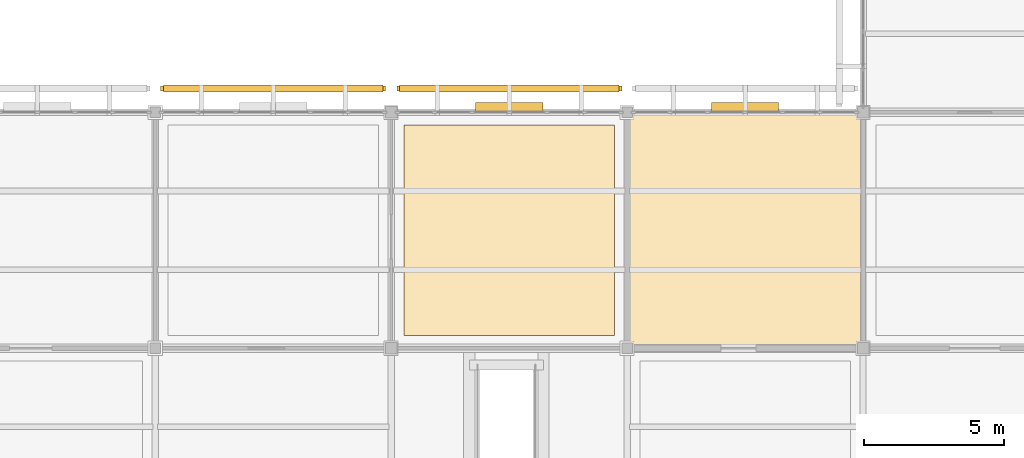
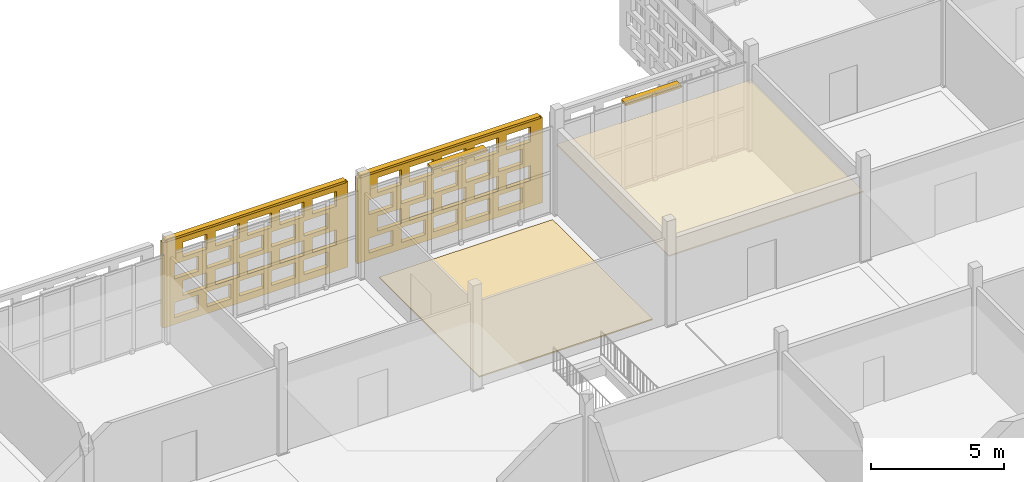
# One storey, part 155 of 203: 4 coverings, 4 shading devices, 40 openings.
"""IFC4 building model written with IfcOpenShell, lengths in metres."""

from ifc_helpers import new_model, si_unit, direction, frame, frame_2d, origin, origin_2d, place, context, subcontext, project, spatial, rectangle, extrude, material, layer, layer_set, type_object, element, save


model = new_model("IFC4")

# Units and contexts
model_context = context("Model", 3, precision=1e-05, world=origin(), true_north=direction((0.0, 1.0)))
body_context = subcontext(model_context, "Body", "Model", "MODEL_VIEW")
ifc_project = project(units=[si_unit("LENGTHUNIT", "METRE"), si_unit("AREAUNIT", "SQUARE_METRE"), si_unit("VOLUMEUNIT", "CUBIC_METRE"), si_unit("PLANEANGLEUNIT", "RADIAN"), si_unit("MASSUNIT", "GRAM", prefix="KILO")], contexts=[model_context])

# Site, building, storey
site_placement = place(None, origin())
site = spatial("IfcSite", under=ifc_project, at=site_placement, CompositionType="ELEMENT")
building_placement = place(site_placement, origin())
building = spatial("IfcBuilding", under=site, at=building_placement, Name="Varnapada Polytechnic", CompositionType="ELEMENT")
storey_placement = place(building_placement, frame((0.0, 0.0, 4.800048828125)))
storey = spatial("IfcBuildingStorey", under=building, at=storey_placement, Name="L01", CompositionType="ELEMENT", Elevation=4.800048828125)

# Covering
ifc_material_1 = material(Name="End-Grain Timber Studio Block Flooring", Category="wood")
ifc_layer_1 = layer(ifc_material_1, 0.054931640625)
ifc_layer_set_1 = layer_set([ifc_layer_1], Name="End-Grain Timber Studio Block Flooring")
covering_type_1 = type_object("IfcCoveringType", Name="Floor Finish FLR-04", PredefinedType="FLOORING", material=ifc_layer_set_1)
covering_1_placement = place(storey_placement, frame((113.39990234375, 37.800048828125, 0.0), z_axis=(0.0, 0.0, 1.0), x_axis=(1.0, 0.0, 0.0)))
element("IfcCovering", 1, at=covering_1_placement, inside=storey, type_object=covering_type_1, Name="L01 floor finish panel (14,5)", PredefinedType="FLOORING", context=body_context, shape_type="SweptSolid", body=[
    extrude(rectangle(XDim=7.5, YDim=7.5, at=origin_2d()), origin(), (0.0, 0.0, 1.0), 0.054931640625),
])

# Shading devices
ifc_material_2 = material(Name="Anodised aluminium", Category="aluminium")
ifc_layer_2 = layer(ifc_material_2, 0.35009765625)
ifc_layer_set_2 = layer_set([ifc_layer_2], Name="Anodised aluminium")
shading_device_type_1 = type_object("IfcShadingDeviceType", Name="Solar Louvre LVR-01", PredefinedType="JALOUSIE", material=ifc_layer_set_2)
for number, where, z_axis, x_axis, name in (
    (2, (113.405029296875, 42.179931640625, 3.760009765625), (0.0, 0.0, 1.0), (1.0, 0.0, 0.0), "L01 aluminium sun louvre 91"),
    (3, (121.794921875, 42.179931640625, 3.760009765625), (0.0, 0.0, 1.0), (1.0, 0.0, 0.0), "L01 aluminium sun louvre 97"),
):
    element("IfcShadingDevice", number, at=place(storey_placement, frame(where, z_axis=z_axis, x_axis=x_axis)), inside=storey, type_object=shading_device_type_1, Name=name, PredefinedType="JALOUSIE", context=body_context, shape_type="SweptSolid", body=[
        extrude(rectangle(XDim=2.39990234375, YDim=0.340087890625, at=origin_2d()), origin(), (0.0, 0.0, 1.0), 0.1201171875),
    ])

# Covering
ifc_material_3 = material(Name="Slatted Merbau Timber Acoustic Ceiling", Category="wood")
ifc_layer_3 = layer(ifc_material_3, 0.054931640625)
ifc_layer_set_3 = layer_set([ifc_layer_3], Name="Slatted Merbau Timber Acoustic Ceiling")
covering_type_2 = type_object("IfcCoveringType", Name="Suspended Ceiling CLG-05", PredefinedType="CEILING", material=ifc_layer_set_3)
covering_2_placement = place(storey_placement, frame((121.800048828125, 37.800048828125, 3.0224609375), z_axis=(0.0, 0.0, 1.0), x_axis=(1.0, 0.0, 0.0)))
element("IfcCovering", 4, at=covering_2_placement, inside=storey, type_object=covering_type_2, Name="L01 suspended acoustic ceiling (15,5)", PredefinedType="CEILING", context=body_context, shape_type="SweptSolid", body=[
    extrude(rectangle(XDim=8.419921875, YDim=8.419921875, at=origin_2d()), origin(), (0.0, 0.0, 1.0), 0.054931640625),
])

# Covering, openings
ifc_material_4 = material(Name="Earth-toned architectural terracotta screen block", Category="masonry")
ifc_layer_4 = layer(ifc_material_4, 0.1201171875)
ifc_layer_set_4 = layer_set([ifc_layer_4], Name="Earth-toned architectural terracotta screen block")
covering_type_3 = type_object("IfcCoveringType", Name="Terracotta Screen Cladding CLD-01", PredefinedType="CLADDING", material=ifc_layer_set_4)
covering_3_placement = place(storey_placement, frame((100.989990234375, 42.85009765625, 0.0), z_axis=(0.0, 0.0, 1.0), x_axis=(1.0, 0.0, 0.0)))
covering_3 = element("IfcCovering", 5, at=covering_3_placement, inside=storey, type_object=covering_type_3, Name="L01 perforated terracotta block screen (85)", PredefinedType="CLADDING", context=body_context, shape_type="SweptSolid", body=[
    extrude(rectangle(XDim=8.010009765625, YDim=0.179931640625, at=frame_2d((4.0048828125, 0.0))), origin(), (0.0, 0.0, 1.0), 3.919921875),
])
opening_1_placement = place(covering_3_placement, frame((0.5048828125, 0.0, 0.313720703125)))
element("IfcOpeningElement", 6, at=opening_1_placement, cuts=covering_3, Name="Screen perforation TBS-L01-084.1", PredefinedType="OPENING", context=body_context, shape_type="SweptSolid", body=[
    extrude(rectangle(XDim=1.0400390625, YDim=0.679931640625, at=frame_2d((0.52001953125, 0.33984375))), frame((0.0, 0.099853515625, 0.0), z_axis=(0.0, -1.0, 0.0), x_axis=(1.0, 0.0, 0.0)), (0.0, 0.0, 1.0), 0.199951171875),
])
opening_2_placement = place(covering_3_placement, frame((1.905029296875, 0.0, 0.313720703125)))
element("IfcOpeningElement", 7, at=opening_2_placement, cuts=covering_3, Name="Screen perforation TBS-L01-084.2", PredefinedType="OPENING", context=body_context, shape_type="SweptSolid", body=[
    extrude(rectangle(XDim=1.0400390625, YDim=0.679931640625, at=frame_2d((0.52001953125, 0.33984375))), frame((0.0, 0.099853515625, 0.0), z_axis=(0.0, -1.0, 0.0), x_axis=(1.0, 0.0, 0.0)), (0.0, 0.0, 1.0), 0.199951171875),
])
opening_3_placement = place(covering_3_placement, frame((3.304931640625, 0.0, 0.313720703125)))
element("IfcOpeningElement", 8, at=opening_3_placement, cuts=covering_3, Name="Screen perforation TBS-L01-084.3", PredefinedType="OPENING", context=body_context, shape_type="SweptSolid", body=[
    extrude(rectangle(XDim=1.0400390625, YDim=0.679931640625, at=frame_2d((0.52001953125, 0.33984375))), frame((0.0, 0.099853515625, 0.0), z_axis=(0.0, -1.0, 0.0), x_axis=(1.0, 0.0, 0.0)), (0.0, 0.0, 1.0), 0.199951171875),
])
opening_4_placement = place(covering_3_placement, frame((4.705078125, 0.0, 0.313720703125)))
element("IfcOpeningElement", 9, at=opening_4_placement, cuts=covering_3, Name="Screen perforation TBS-L01-084.4", PredefinedType="OPENING", context=body_context, shape_type="SweptSolid", body=[
    extrude(rectangle(XDim=1.0400390625, YDim=0.679931640625, at=frame_2d((0.52001953125, 0.33984375))), frame((0.0, 0.099853515625, 0.0), z_axis=(0.0, -1.0, 0.0), x_axis=(1.0, 0.0, 0.0)), (0.0, 0.0, 1.0), 0.199951171875),
])
opening_5_placement = place(covering_3_placement, frame((6.10498046875, 0.0, 0.313720703125)))
element("IfcOpeningElement", 10, at=opening_5_placement, cuts=covering_3, Name="Screen perforation TBS-L01-084.5", PredefinedType="OPENING", context=body_context, shape_type="SweptSolid", body=[
    extrude(rectangle(XDim=1.0400390625, YDim=0.679931640625, at=frame_2d((0.52001953125, 0.33984375))), frame((0.0, 0.099853515625, 0.0), z_axis=(0.0, -1.0, 0.0), x_axis=(1.0, 0.0, 0.0)), (0.0, 0.0, 1.0), 0.199951171875),
])
opening_6_placement = place(covering_3_placement, frame((0.864990234375, 0.0, 1.195556640625)))
element("IfcOpeningElement", 11, at=opening_6_placement, cuts=covering_3, Name="Screen perforation TBS-L01-084.6", PredefinedType="OPENING", context=body_context, shape_type="SweptSolid", body=[
    extrude(rectangle(XDim=1.0400390625, YDim=0.679931640625, at=frame_2d((0.52001953125, 0.33984375))), frame((0.0, 0.099853515625, 0.0), z_axis=(0.0, -1.0, 0.0), x_axis=(1.0, 0.0, 0.0)), (0.0, 0.0, 1.0), 0.199951171875),
])
opening_7_placement = place(covering_3_placement, frame((2.264892578125, 0.0, 1.195556640625)))
element("IfcOpeningElement", 12, at=opening_7_placement, cuts=covering_3, Name="Screen perforation TBS-L01-084.7", PredefinedType="OPENING", context=body_context, shape_type="SweptSolid", body=[
    extrude(rectangle(XDim=1.0400390625, YDim=0.679931640625, at=frame_2d((0.52001953125, 0.33984375))), frame((0.0, 0.099853515625, 0.0), z_axis=(0.0, -1.0, 0.0), x_axis=(1.0, 0.0, 0.0)), (0.0, 0.0, 1.0), 0.199951171875),
])
opening_8_placement = place(covering_3_placement, frame((3.6650390625, 0.0, 1.195556640625)))
element("IfcOpeningElement", 13, at=opening_8_placement, cuts=covering_3, Name="Screen perforation TBS-L01-084.8", PredefinedType="OPENING", context=body_context, shape_type="SweptSolid", body=[
    extrude(rectangle(XDim=1.0400390625, YDim=0.679931640625, at=frame_2d((0.52001953125, 0.33984375))), frame((0.0, 0.099853515625, 0.0), z_axis=(0.0, -1.0, 0.0), x_axis=(1.0, 0.0, 0.0)), (0.0, 0.0, 1.0), 0.199951171875),
])
opening_9_placement = place(covering_3_placement, frame((5.06494140625, 0.0, 1.195556640625)))
element("IfcOpeningElement", 14, at=opening_9_placement, cuts=covering_3, Name="Screen perforation TBS-L01-084.9", PredefinedType="OPENING", context=body_context, shape_type="SweptSolid", body=[
    extrude(rectangle(XDim=1.0400390625, YDim=0.679931640625, at=frame_2d((0.52001953125, 0.33984375))), frame((0.0, 0.099853515625, 0.0), z_axis=(0.0, -1.0, 0.0), x_axis=(1.0, 0.0, 0.0)), (0.0, 0.0, 1.0), 0.199951171875),
])
opening_10_placement = place(covering_3_placement, frame((6.465087890625, 0.0, 1.195556640625)))
element("IfcOpeningElement", 15, at=opening_10_placement, cuts=covering_3, Name="Screen perforation TBS-L01-084.10", PredefinedType="OPENING", context=body_context, shape_type="SweptSolid", body=[
    extrude(rectangle(XDim=1.0400390625, YDim=0.679931640625, at=frame_2d((0.52001953125, 0.33984375))), frame((0.0, 0.099853515625, 0.0), z_axis=(0.0, -1.0, 0.0), x_axis=(1.0, 0.0, 0.0)), (0.0, 0.0, 1.0), 0.199951171875),
])
opening_11_placement = place(covering_3_placement, frame((0.5048828125, 0.0, 2.07763671875)))
element("IfcOpeningElement", 16, at=opening_11_placement, cuts=covering_3, Name="Screen perforation TBS-L01-084.11", PredefinedType="OPENING", context=body_context, shape_type="SweptSolid", body=[
    extrude(rectangle(XDim=1.0400390625, YDim=0.679931640625, at=frame_2d((0.52001953125, 0.33984375))), frame((0.0, 0.099853515625, 0.0), z_axis=(0.0, -1.0, 0.0), x_axis=(1.0, 0.0, 0.0)), (0.0, 0.0, 1.0), 0.199951171875),
])
opening_12_placement = place(covering_3_placement, frame((1.905029296875, 0.0, 2.07763671875)))
element("IfcOpeningElement", 17, at=opening_12_placement, cuts=covering_3, Name="Screen perforation TBS-L01-084.12", PredefinedType="OPENING", context=body_context, shape_type="SweptSolid", body=[
    extrude(rectangle(XDim=1.0400390625, YDim=0.679931640625, at=frame_2d((0.52001953125, 0.33984375))), frame((0.0, 0.099853515625, 0.0), z_axis=(0.0, -1.0, 0.0), x_axis=(1.0, 0.0, 0.0)), (0.0, 0.0, 1.0), 0.199951171875),
])
opening_13_placement = place(covering_3_placement, frame((3.304931640625, 0.0, 2.07763671875)))
element("IfcOpeningElement", 18, at=opening_13_placement, cuts=covering_3, Name="Screen perforation TBS-L01-084.13", PredefinedType="OPENING", context=body_context, shape_type="SweptSolid", body=[
    extrude(rectangle(XDim=1.0400390625, YDim=0.679931640625, at=frame_2d((0.52001953125, 0.33984375))), frame((0.0, 0.099853515625, 0.0), z_axis=(0.0, -1.0, 0.0), x_axis=(1.0, 0.0, 0.0)), (0.0, 0.0, 1.0), 0.199951171875),
])
opening_14_placement = place(covering_3_placement, frame((4.705078125, 0.0, 2.07763671875)))
element("IfcOpeningElement", 19, at=opening_14_placement, cuts=covering_3, Name="Screen perforation TBS-L01-084.14", PredefinedType="OPENING", context=body_context, shape_type="SweptSolid", body=[
    extrude(rectangle(XDim=1.0400390625, YDim=0.679931640625, at=frame_2d((0.52001953125, 0.33984375))), frame((0.0, 0.099853515625, 0.0), z_axis=(0.0, -1.0, 0.0), x_axis=(1.0, 0.0, 0.0)), (0.0, 0.0, 1.0), 0.199951171875),
])
opening_15_placement = place(covering_3_placement, frame((6.10498046875, 0.0, 2.07763671875)))
element("IfcOpeningElement", 20, at=opening_15_placement, cuts=covering_3, Name="Screen perforation TBS-L01-084.15", PredefinedType="OPENING", context=body_context, shape_type="SweptSolid", body=[
    extrude(rectangle(XDim=1.0400390625, YDim=0.679931640625, at=frame_2d((0.52001953125, 0.33984375))), frame((0.0, 0.099853515625, 0.0), z_axis=(0.0, -1.0, 0.0), x_axis=(1.0, 0.0, 0.0)), (0.0, 0.0, 1.0), 0.199951171875),
])
opening_16_placement = place(covering_3_placement, frame((0.864990234375, 0.0, 2.959716796875)))
element("IfcOpeningElement", 21, at=opening_16_placement, cuts=covering_3, Name="Screen perforation TBS-L01-084.16", PredefinedType="OPENING", context=body_context, shape_type="SweptSolid", body=[
    extrude(rectangle(XDim=1.0400390625, YDim=0.679931640625, at=frame_2d((0.52001953125, 0.33984375))), frame((0.0, 0.099853515625, 0.0), z_axis=(0.0, -1.0, 0.0), x_axis=(1.0, 0.0, 0.0)), (0.0, 0.0, 1.0), 0.199951171875),
])
opening_17_placement = place(covering_3_placement, frame((2.264892578125, 0.0, 2.959716796875)))
element("IfcOpeningElement", 22, at=opening_17_placement, cuts=covering_3, Name="Screen perforation TBS-L01-084.17", PredefinedType="OPENING", context=body_context, shape_type="SweptSolid", body=[
    extrude(rectangle(XDim=1.0400390625, YDim=0.679931640625, at=frame_2d((0.52001953125, 0.33984375))), frame((0.0, 0.099853515625, 0.0), z_axis=(0.0, -1.0, 0.0), x_axis=(1.0, 0.0, 0.0)), (0.0, 0.0, 1.0), 0.199951171875),
])
opening_18_placement = place(covering_3_placement, frame((3.6650390625, 0.0, 2.959716796875)))
element("IfcOpeningElement", 23, at=opening_18_placement, cuts=covering_3, Name="Screen perforation TBS-L01-084.18", PredefinedType="OPENING", context=body_context, shape_type="SweptSolid", body=[
    extrude(rectangle(XDim=1.0400390625, YDim=0.679931640625, at=frame_2d((0.52001953125, 0.33984375))), frame((0.0, 0.099853515625, 0.0), z_axis=(0.0, -1.0, 0.0), x_axis=(1.0, 0.0, 0.0)), (0.0, 0.0, 1.0), 0.199951171875),
])
opening_19_placement = place(covering_3_placement, frame((5.06494140625, 0.0, 2.959716796875)))
element("IfcOpeningElement", 24, at=opening_19_placement, cuts=covering_3, Name="Screen perforation TBS-L01-084.19", PredefinedType="OPENING", context=body_context, shape_type="SweptSolid", body=[
    extrude(rectangle(XDim=1.0400390625, YDim=0.679931640625, at=frame_2d((0.52001953125, 0.33984375))), frame((0.0, 0.099853515625, 0.0), z_axis=(0.0, -1.0, 0.0), x_axis=(1.0, 0.0, 0.0)), (0.0, 0.0, 1.0), 0.199951171875),
])
opening_20_placement = place(covering_3_placement, frame((6.465087890625, 0.0, 2.959716796875)))
element("IfcOpeningElement", 25, at=opening_20_placement, cuts=covering_3, Name="Screen perforation TBS-L01-084.20", PredefinedType="OPENING", context=body_context, shape_type="SweptSolid", body=[
    extrude(rectangle(XDim=1.0400390625, YDim=0.679931640625, at=frame_2d((0.52001953125, 0.33984375))), frame((0.0, 0.099853515625, 0.0), z_axis=(0.0, -1.0, 0.0), x_axis=(1.0, 0.0, 0.0)), (0.0, 0.0, 1.0), 0.199951171875),
])

covering_4_placement = place(storey_placement, frame((109.39990234375, 42.85009765625, 0.0), z_axis=(0.0, 0.0, 1.0), x_axis=(1.0, 0.0, 0.0)))
covering_4 = element("IfcCovering", 26, at=covering_4_placement, inside=storey, type_object=covering_type_3, Name="L01 perforated terracotta block screen (91)", PredefinedType="CLADDING", context=body_context, shape_type="SweptSolid", body=[
    extrude(rectangle(XDim=8.010009765625, YDim=0.179931640625, at=frame_2d((4.0048828125, 0.0))), origin(), (0.0, 0.0, 1.0), 3.919921875),
])
opening_21_placement = place(covering_4_placement, frame((0.5048828125, 0.0, 0.313720703125)))
element("IfcOpeningElement", 27, at=opening_21_placement, cuts=covering_4, Name="Screen perforation TBS-L01-090.1", PredefinedType="OPENING", context=body_context, shape_type="SweptSolid", body=[
    extrude(rectangle(XDim=1.0400390625, YDim=0.679931640625, at=frame_2d((0.52001953125, 0.33984375))), frame((0.0, 0.099853515625, 0.0), z_axis=(0.0, -1.0, 0.0), x_axis=(1.0, 0.0, 0.0)), (0.0, 0.0, 1.0), 0.199951171875),
])
opening_22_placement = place(covering_4_placement, frame((1.905029296875, 0.0, 0.313720703125)))
element("IfcOpeningElement", 28, at=opening_22_placement, cuts=covering_4, Name="Screen perforation TBS-L01-090.2", PredefinedType="OPENING", context=body_context, shape_type="SweptSolid", body=[
    extrude(rectangle(XDim=1.0400390625, YDim=0.679931640625, at=frame_2d((0.52001953125, 0.33984375))), frame((0.0, 0.099853515625, 0.0), z_axis=(0.0, -1.0, 0.0), x_axis=(1.0, 0.0, 0.0)), (0.0, 0.0, 1.0), 0.199951171875),
])
opening_23_placement = place(covering_4_placement, frame((3.304931640625, 0.0, 0.313720703125)))
element("IfcOpeningElement", 29, at=opening_23_placement, cuts=covering_4, Name="Screen perforation TBS-L01-090.3", PredefinedType="OPENING", context=body_context, shape_type="SweptSolid", body=[
    extrude(rectangle(XDim=1.0400390625, YDim=0.679931640625, at=frame_2d((0.52001953125, 0.33984375))), frame((0.0, 0.099853515625, 0.0), z_axis=(0.0, -1.0, 0.0), x_axis=(1.0, 0.0, 0.0)), (0.0, 0.0, 1.0), 0.199951171875),
])
opening_24_placement = place(covering_4_placement, frame((4.705078125, 0.0, 0.313720703125)))
element("IfcOpeningElement", 30, at=opening_24_placement, cuts=covering_4, Name="Screen perforation TBS-L01-090.4", PredefinedType="OPENING", context=body_context, shape_type="SweptSolid", body=[
    extrude(rectangle(XDim=1.0400390625, YDim=0.679931640625, at=frame_2d((0.52001953125, 0.33984375))), frame((0.0, 0.099853515625, 0.0), z_axis=(0.0, -1.0, 0.0), x_axis=(1.0, 0.0, 0.0)), (0.0, 0.0, 1.0), 0.199951171875),
])
opening_25_placement = place(covering_4_placement, frame((6.10498046875, 0.0, 0.313720703125)))
element("IfcOpeningElement", 31, at=opening_25_placement, cuts=covering_4, Name="Screen perforation TBS-L01-090.5", PredefinedType="OPENING", context=body_context, shape_type="SweptSolid", body=[
    extrude(rectangle(XDim=1.0400390625, YDim=0.679931640625, at=frame_2d((0.52001953125, 0.33984375))), frame((0.0, 0.099853515625, 0.0), z_axis=(0.0, -1.0, 0.0), x_axis=(1.0, 0.0, 0.0)), (0.0, 0.0, 1.0), 0.199951171875),
])
opening_26_placement = place(covering_4_placement, frame((0.864990234375, 0.0, 1.195556640625)))
element("IfcOpeningElement", 32, at=opening_26_placement, cuts=covering_4, Name="Screen perforation TBS-L01-090.6", PredefinedType="OPENING", context=body_context, shape_type="SweptSolid", body=[
    extrude(rectangle(XDim=1.0400390625, YDim=0.679931640625, at=frame_2d((0.52001953125, 0.33984375))), frame((0.0, 0.099853515625, 0.0), z_axis=(0.0, -1.0, 0.0), x_axis=(1.0, 0.0, 0.0)), (0.0, 0.0, 1.0), 0.199951171875),
])
opening_27_placement = place(covering_4_placement, frame((2.264892578125, 0.0, 1.195556640625)))
element("IfcOpeningElement", 33, at=opening_27_placement, cuts=covering_4, Name="Screen perforation TBS-L01-090.7", PredefinedType="OPENING", context=body_context, shape_type="SweptSolid", body=[
    extrude(rectangle(XDim=1.0400390625, YDim=0.679931640625, at=frame_2d((0.52001953125, 0.33984375))), frame((0.0, 0.099853515625, 0.0), z_axis=(0.0, -1.0, 0.0), x_axis=(1.0, 0.0, 0.0)), (0.0, 0.0, 1.0), 0.199951171875),
])
opening_28_placement = place(covering_4_placement, frame((3.6650390625, 0.0, 1.195556640625)))
element("IfcOpeningElement", 34, at=opening_28_placement, cuts=covering_4, Name="Screen perforation TBS-L01-090.8", PredefinedType="OPENING", context=body_context, shape_type="SweptSolid", body=[
    extrude(rectangle(XDim=1.0400390625, YDim=0.679931640625, at=frame_2d((0.52001953125, 0.33984375))), frame((0.0, 0.099853515625, 0.0), z_axis=(0.0, -1.0, 0.0), x_axis=(1.0, 0.0, 0.0)), (0.0, 0.0, 1.0), 0.199951171875),
])
opening_29_placement = place(covering_4_placement, frame((5.06494140625, 0.0, 1.195556640625)))
element("IfcOpeningElement", 35, at=opening_29_placement, cuts=covering_4, Name="Screen perforation TBS-L01-090.9", PredefinedType="OPENING", context=body_context, shape_type="SweptSolid", body=[
    extrude(rectangle(XDim=1.0400390625, YDim=0.679931640625, at=frame_2d((0.52001953125, 0.33984375))), frame((0.0, 0.099853515625, 0.0), z_axis=(0.0, -1.0, 0.0), x_axis=(1.0, 0.0, 0.0)), (0.0, 0.0, 1.0), 0.199951171875),
])
opening_30_placement = place(covering_4_placement, frame((6.465087890625, 0.0, 1.195556640625)))
element("IfcOpeningElement", 36, at=opening_30_placement, cuts=covering_4, Name="Screen perforation TBS-L01-090.10", PredefinedType="OPENING", context=body_context, shape_type="SweptSolid", body=[
    extrude(rectangle(XDim=1.0400390625, YDim=0.679931640625, at=frame_2d((0.52001953125, 0.33984375))), frame((0.0, 0.099853515625, 0.0), z_axis=(0.0, -1.0, 0.0), x_axis=(1.0, 0.0, 0.0)), (0.0, 0.0, 1.0), 0.199951171875),
])
opening_31_placement = place(covering_4_placement, frame((0.5048828125, 0.0, 2.07763671875)))
element("IfcOpeningElement", 37, at=opening_31_placement, cuts=covering_4, Name="Screen perforation TBS-L01-090.11", PredefinedType="OPENING", context=body_context, shape_type="SweptSolid", body=[
    extrude(rectangle(XDim=1.0400390625, YDim=0.679931640625, at=frame_2d((0.52001953125, 0.33984375))), frame((0.0, 0.099853515625, 0.0), z_axis=(0.0, -1.0, 0.0), x_axis=(1.0, 0.0, 0.0)), (0.0, 0.0, 1.0), 0.199951171875),
])
opening_32_placement = place(covering_4_placement, frame((1.905029296875, 0.0, 2.07763671875)))
element("IfcOpeningElement", 38, at=opening_32_placement, cuts=covering_4, Name="Screen perforation TBS-L01-090.12", PredefinedType="OPENING", context=body_context, shape_type="SweptSolid", body=[
    extrude(rectangle(XDim=1.0400390625, YDim=0.679931640625, at=frame_2d((0.52001953125, 0.33984375))), frame((0.0, 0.099853515625, 0.0), z_axis=(0.0, -1.0, 0.0), x_axis=(1.0, 0.0, 0.0)), (0.0, 0.0, 1.0), 0.199951171875),
])
opening_33_placement = place(covering_4_placement, frame((3.304931640625, 0.0, 2.07763671875)))
element("IfcOpeningElement", 39, at=opening_33_placement, cuts=covering_4, Name="Screen perforation TBS-L01-090.13", PredefinedType="OPENING", context=body_context, shape_type="SweptSolid", body=[
    extrude(rectangle(XDim=1.0400390625, YDim=0.679931640625, at=frame_2d((0.52001953125, 0.33984375))), frame((0.0, 0.099853515625, 0.0), z_axis=(0.0, -1.0, 0.0), x_axis=(1.0, 0.0, 0.0)), (0.0, 0.0, 1.0), 0.199951171875),
])
opening_34_placement = place(covering_4_placement, frame((4.705078125, 0.0, 2.07763671875)))
element("IfcOpeningElement", 40, at=opening_34_placement, cuts=covering_4, Name="Screen perforation TBS-L01-090.14", PredefinedType="OPENING", context=body_context, shape_type="SweptSolid", body=[
    extrude(rectangle(XDim=1.0400390625, YDim=0.679931640625, at=frame_2d((0.52001953125, 0.33984375))), frame((0.0, 0.099853515625, 0.0), z_axis=(0.0, -1.0, 0.0), x_axis=(1.0, 0.0, 0.0)), (0.0, 0.0, 1.0), 0.199951171875),
])
opening_35_placement = place(covering_4_placement, frame((6.10498046875, 0.0, 2.07763671875)))
element("IfcOpeningElement", 41, at=opening_35_placement, cuts=covering_4, Name="Screen perforation TBS-L01-090.15", PredefinedType="OPENING", context=body_context, shape_type="SweptSolid", body=[
    extrude(rectangle(XDim=1.0400390625, YDim=0.679931640625, at=frame_2d((0.52001953125, 0.33984375))), frame((0.0, 0.099853515625, 0.0), z_axis=(0.0, -1.0, 0.0), x_axis=(1.0, 0.0, 0.0)), (0.0, 0.0, 1.0), 0.199951171875),
])
opening_36_placement = place(covering_4_placement, frame((0.864990234375, 0.0, 2.959716796875)))
element("IfcOpeningElement", 42, at=opening_36_placement, cuts=covering_4, Name="Screen perforation TBS-L01-090.16", PredefinedType="OPENING", context=body_context, shape_type="SweptSolid", body=[
    extrude(rectangle(XDim=1.0400390625, YDim=0.679931640625, at=frame_2d((0.52001953125, 0.33984375))), frame((0.0, 0.099853515625, 0.0), z_axis=(0.0, -1.0, 0.0), x_axis=(1.0, 0.0, 0.0)), (0.0, 0.0, 1.0), 0.199951171875),
])
opening_37_placement = place(covering_4_placement, frame((2.264892578125, 0.0, 2.959716796875)))
element("IfcOpeningElement", 43, at=opening_37_placement, cuts=covering_4, Name="Screen perforation TBS-L01-090.17", PredefinedType="OPENING", context=body_context, shape_type="SweptSolid", body=[
    extrude(rectangle(XDim=1.0400390625, YDim=0.679931640625, at=frame_2d((0.52001953125, 0.33984375))), frame((0.0, 0.099853515625, 0.0), z_axis=(0.0, -1.0, 0.0), x_axis=(1.0, 0.0, 0.0)), (0.0, 0.0, 1.0), 0.199951171875),
])
opening_38_placement = place(covering_4_placement, frame((3.6650390625, 0.0, 2.959716796875)))
element("IfcOpeningElement", 44, at=opening_38_placement, cuts=covering_4, Name="Screen perforation TBS-L01-090.18", PredefinedType="OPENING", context=body_context, shape_type="SweptSolid", body=[
    extrude(rectangle(XDim=1.0400390625, YDim=0.679931640625, at=frame_2d((0.52001953125, 0.33984375))), frame((0.0, 0.099853515625, 0.0), z_axis=(0.0, -1.0, 0.0), x_axis=(1.0, 0.0, 0.0)), (0.0, 0.0, 1.0), 0.199951171875),
])
opening_39_placement = place(covering_4_placement, frame((5.06494140625, 0.0, 2.959716796875)))
element("IfcOpeningElement", 45, at=opening_39_placement, cuts=covering_4, Name="Screen perforation TBS-L01-090.19", PredefinedType="OPENING", context=body_context, shape_type="SweptSolid", body=[
    extrude(rectangle(XDim=1.0400390625, YDim=0.679931640625, at=frame_2d((0.52001953125, 0.33984375))), frame((0.0, 0.099853515625, 0.0), z_axis=(0.0, -1.0, 0.0), x_axis=(1.0, 0.0, 0.0)), (0.0, 0.0, 1.0), 0.199951171875),
])
opening_40_placement = place(covering_4_placement, frame((6.465087890625, 0.0, 2.959716796875)))
element("IfcOpeningElement", 46, at=opening_40_placement, cuts=covering_4, Name="Screen perforation TBS-L01-090.20", PredefinedType="OPENING", context=body_context, shape_type="SweptSolid", body=[
    extrude(rectangle(XDim=1.0400390625, YDim=0.679931640625, at=frame_2d((0.52001953125, 0.33984375))), frame((0.0, 0.099853515625, 0.0), z_axis=(0.0, -1.0, 0.0), x_axis=(1.0, 0.0, 0.0)), (0.0, 0.0, 1.0), 0.199951171875),
])

# Shading devices
ifc_layer_5 = layer(ifc_material_4, 0.179931640625)
ifc_layer_set_5 = layer_set([ifc_layer_5], Name="Earth-toned architectural terracotta screen block")
shading_device_type_2 = type_object("IfcShadingDeviceType", Name="Terracotta Screen SCR-02", PredefinedType="USERDEFINED", material=ifc_layer_set_5)
for number, where, z_axis, x_axis, name in (
    (47, (104.9951171875, 42.85009765625, 3.909912109375), (0.0, 0.0, 1.0), (1.0, 0.0, 0.0), "L01 perforated terracotta screen hood 164"),
    (48, (113.405029296875, 42.85009765625, 3.909912109375), (0.0, 0.0, 1.0), (1.0, 0.0, 0.0), "L01 perforated terracotta screen hood 170"),
):
    element("IfcShadingDevice", number, at=place(storey_placement, frame(where, z_axis=z_axis, x_axis=x_axis)), inside=storey, type_object=shading_device_type_2, Name=name, ObjectType="SCREEN", PredefinedType="USERDEFINED", context=body_context, shape_type="SweptSolid", body=[
        extrude(rectangle(XDim=7.81005859375, YDim=0.239990234375, at=origin_2d()), origin(), (0.0, 0.0, 1.0), 0.10009765625),
    ])

save(model, "model.ifc")
